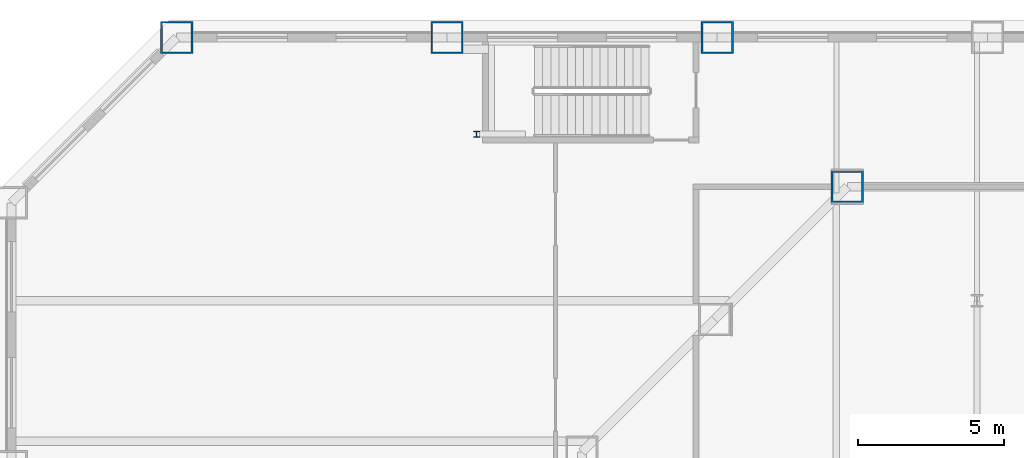
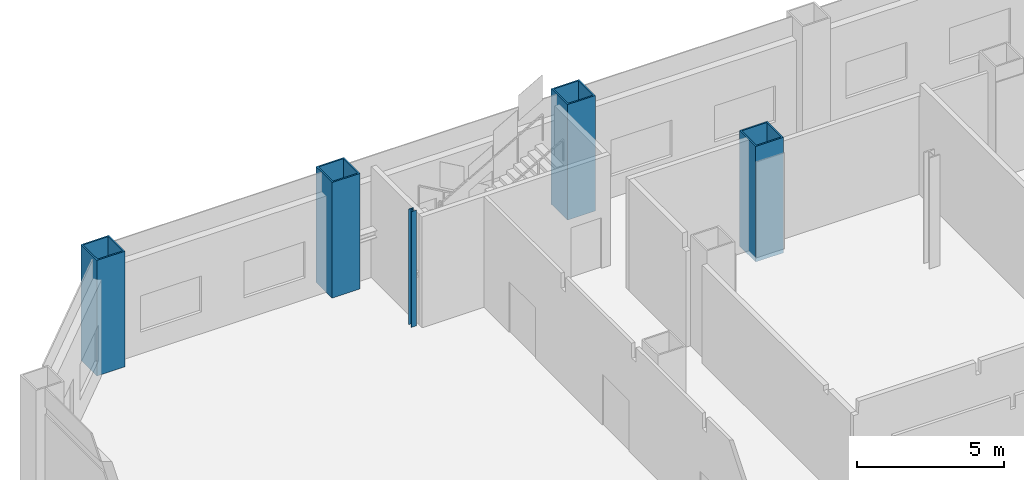
# One storey, part 3 of 26: 5 columns.
"""IFC4 building model written with IfcOpenShell, lengths in metres."""

from ifc_helpers import new_model, si_unit, direction, frame, origin, origin_2d, place, context, subcontext, project, spatial, hollow_rectangle, i_section, extrude, material, material_profile, profile_set, type_object, element, save


model = new_model("IFC4")

# Units and contexts
model_context = context("Model", 3, precision=1e-05, world=origin(), true_north=direction((0.0, 1.0)))
body_context = subcontext(model_context, "Body", "Model", "MODEL_VIEW")
ifc_project = project(units=[si_unit("LENGTHUNIT", "METRE"), si_unit("AREAUNIT", "SQUARE_METRE"), si_unit("VOLUMEUNIT", "CUBIC_METRE"), si_unit("PLANEANGLEUNIT", "RADIAN"), si_unit("MASSUNIT", "GRAM", prefix="KILO")], contexts=[model_context])

# Site, building, storey
site_placement = place(None, origin())
site = spatial("IfcSite", under=ifc_project, at=site_placement, CompositionType="ELEMENT")
building_placement = place(site_placement, origin())
building = spatial("IfcBuilding", under=site, at=building_placement, Name="Cairn Pilgrim Tower", CompositionType="ELEMENT")
storey_placement = place(building_placement, frame((0.0, 0.0, 21.0)))
storey = spatial("IfcBuildingStorey", under=building, at=storey_placement, Name="L03", CompositionType="ELEMENT", Elevation=21.0)

# Columns
ifc_material_1 = material(Name="Structural steel S460M", Category="steel")
ifc_material_profile_1 = material_profile(ifc_material_1, hollow_rectangle(XDim=1.10009765625, YDim=1.10009765625, WallThickness=0.06005859375, at=origin_2d()), Name="BOX 1100x1100x60")
ifc_profile_set_1 = profile_set([ifc_material_profile_1], Name="Structural steel S460M")
column_type_1 = type_object("IfcColumnType", Name="BOX 1100x1100x60", PredefinedType="COLUMN", material=ifc_profile_set_1)
column_1_placement = place(storey_placement, frame((-18.8271484375, 23.10009765625, -0.199951171875), z_axis=(0.0, 0.0, 1.0), x_axis=(1.0, 0.0, 0.0)))
element("IfcColumn", 1, at=column_1_placement, inside=storey, type_object=column_type_1, Name="PC1-NW1", PredefinedType="COLUMN", context=body_context, shape_type="SweptSolid", body=[
    extrude(hollow_rectangle(XDim=1.10009765625, YDim=1.10009765625, WallThickness=0.06005859375, at=origin_2d()), origin(), (0.0, 0.0, 1.0), 4.800048828125),
])
ifc_material_profile_2 = material_profile(ifc_material_1, hollow_rectangle(XDim=1.10009765625, YDim=1.10009765625, WallThickness=0.06005859375, at=origin_2d()), Name="BOX 1100x1100x60")
ifc_profile_set_2 = profile_set([ifc_material_profile_2], Name="Structural steel S460M")
column_type_2 = type_object("IfcColumnType", Name="PILOTIS CFT 1100", PredefinedType="COLUMN", material=ifc_profile_set_2)
for number, where, z_axis, x_axis, name in (
    (2, (-23.275634765625, 28.199951171875, 0.0), (0.0, 0.0, 1.0), (1.0, 0.0, 0.0), "PILOTIS PL-N7"),
    (3, (-32.513671875, 28.199951171875, 0.0), (0.0, 0.0, 1.0), (1.0, 0.0, 0.0), "PILOTIS PL-N8"),
    (4, (-41.75146484375, 28.199951171875, 0.0), (0.0, 0.0, 1.0), (1.0, 0.0, 0.0), "PILOTIS PL-NW1"),
):
    element("IfcColumn", number, at=place(storey_placement, frame(where, z_axis=z_axis, x_axis=x_axis)), inside=storey, type_object=column_type_2, Name=name, PredefinedType="COLUMN", context=body_context, shape_type="SweptSolid", body=[
        extrude(hollow_rectangle(XDim=1.10009765625, YDim=1.10009765625, WallThickness=0.06005859375, at=origin_2d()), origin(), (0.0, 0.0, 1.0), 4.800048828125),
    ])
ifc_material_2 = material(Name="Structural steel S355J2", Category="steel")
ifc_material_profile_3 = material_profile(ifc_material_2, i_section(OverallWidth=0.199951171875, OverallDepth=0.199951171875, WebThickness=0.009033203125, FlangeThickness=0.014892578125, FilletRadius=0.01806640625, at=origin_2d()), Name="HE 200 B")
ifc_profile_set_3 = profile_set([ifc_material_profile_3], Name="Structural steel S355J2")
column_type_3 = type_object("IfcColumnType", Name="STAIR POST HE 200 B", PredefinedType="COLUMN", material=ifc_profile_set_3)
column_2_placement = place(storey_placement, frame((-31.5, 24.89990234375, 0.0), z_axis=(0.0, 0.0, 1.0), x_axis=(1.0, 0.0, 0.0)))
element("IfcColumn", 5, at=column_2_placement, inside=storey, type_object=column_type_3, Name="STAIR POST LP-HN-W", PredefinedType="COLUMN", context=body_context, shape_type="SweptSolid", body=[
    extrude(i_section(OverallWidth=0.199951171875, OverallDepth=0.199951171875, WebThickness=0.009033203125, FlangeThickness=0.014892578125, FilletRadius=0.01806640625, at=origin_2d()), origin(), (0.0, 0.0, 1.0), 4.800048828125),
])

save(model, "model.ifc")
